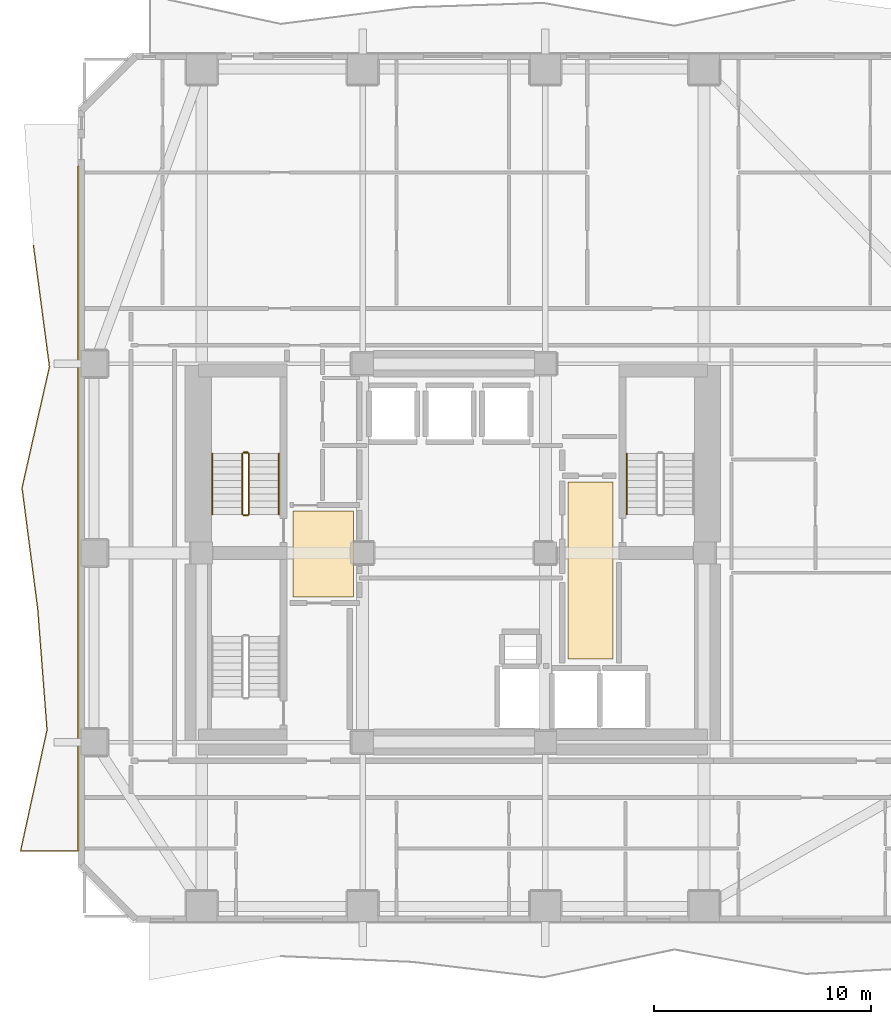
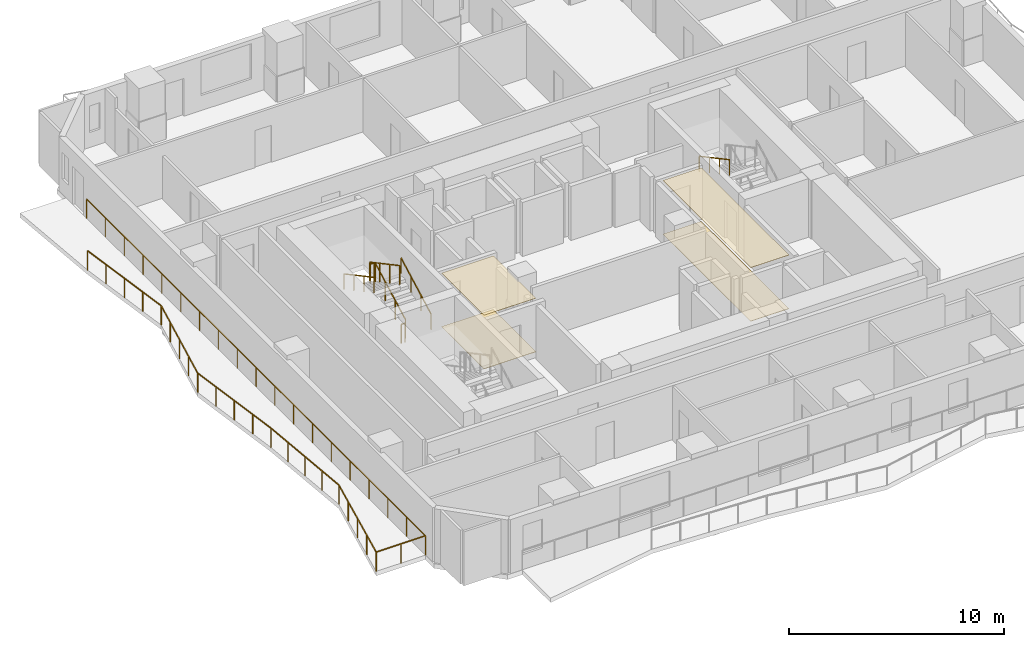
# One storey, part 9 of 11: 8 railings, 4 coverings.
"""IFC4 building model written with IfcOpenShell, lengths in metres."""

from ifc_helpers import new_model, si_unit, direction, frame, origin, origin_2d, place, context, subcontext, project, spatial, polyline, rectangle, outline, extrude, material, layer, layer_set, type_object, element, save


model = new_model("IFC4")

# Units and contexts
model_context = context("Model", 3, precision=1e-05, world=origin(), true_north=direction((0.0, 1.0)))
body_context = subcontext(model_context, "Body", "Model", "MODEL_VIEW")
ifc_project = project(units=[si_unit("LENGTHUNIT", "METRE"), si_unit("AREAUNIT", "SQUARE_METRE"), si_unit("VOLUMEUNIT", "CUBIC_METRE"), si_unit("PLANEANGLEUNIT", "RADIAN"), si_unit("MASSUNIT", "GRAM", prefix="KILO")], contexts=[model_context])

# Site, building, storey
site_placement = place(None, origin())
site = spatial("IfcSite", under=ifc_project, at=site_placement, CompositionType="ELEMENT")
building_placement = place(site_placement, origin())
building = spatial("IfcBuilding", under=site, at=building_placement, Name="Solanera Arch Residences", CompositionType="ELEMENT")
storey_placement = place(building_placement, frame((0.0, 0.0, 68.47998046875)))
storey = spatial("IfcBuildingStorey", under=building, at=storey_placement, Name="L19", CompositionType="ELEMENT", Elevation=68.47998046875)

# Railing
ifc_material_1 = material(Name="Steel S355 (ASTM A992 / A572 Grade 50)", Category="steel")
railing_type_1 = type_object("IfcRailingType", Name="Balustrade Railing BL-1100", PredefinedType="BALUSTRADE", material=ifc_material_1)
railing_1_placement = place(storey_placement, frame((5.657958984375, 44.8330078125, 0.0)))
element("IfcRailing", 1, at=railing_1_placement, inside=storey, type_object=railing_type_1, Name="L19 W Balcony Balustrade 1", PredefinedType="BALUSTRADE", context=body_context, shape_type="SweptSolid", body=[
    extrude(rectangle(XDim=0.048095703125, YDim=0.048095703125, at=origin_2d()), frame((0.0, 0.0, 1.09619140625), z_axis=(0.130935949991, -0.991390829592, 0.0), x_axis=(0.991390829592, 0.130935949991, 0.0)), (0.0, 0.0, 1.0), 5.6142578125),
    extrude(rectangle(XDim=0.048095703125, YDim=0.048095703125, at=origin_2d()), frame((0.735107421875, -5.56591796875, 1.09619140625), z_axis=(-0.220909324265, -0.975294350672, 0.0), x_axis=(0.975294350672, -0.220909324265, 0.0)), (0.0, 0.0, 1.0), 5.708251953125),
    extrude(rectangle(XDim=0.048095703125, YDim=0.048095703125, at=origin_2d()), frame((-0.52587890625, -11.133056640625, 1.09619140625), z_axis=(0.128433627288, -0.991718106813, 0.0), x_axis=(0.991718106813, 0.128433627288, 0.0)), (0.0, 0.0, 1.0), 5.61328125),
    extrude(rectangle(XDim=0.048095703125, YDim=0.048095703125, at=origin_2d()), frame((0.195068359375, -16.699951171875, 1.09619140625), z_axis=(0.076663056349, -0.99705705744, 0.0), x_axis=(0.99705705744, 0.076663056349, 0.0)), (0.0, 0.0, 1.0), 5.58251953125),
    extrude(rectangle(XDim=0.048095703125, YDim=0.048095703125, at=origin_2d()), frame((0.623046875, -22.26611328125, 1.09619140625), z_axis=(-0.213249618178, -0.976997748384, 0.0), x_axis=(0.976997748384, -0.213249618178, 0.0)), (0.0, 0.0, 1.0), 5.697998046875),
    extrude(rectangle(XDim=0.048095703125, YDim=0.048095703125, at=origin_2d()), frame((-0.592041015625, -27.8330078125, 1.09619140625), z_axis=(1.0, 0.0, 0.0), x_axis=(0.0, 1.0, 0.0)), (0.0, 0.0, 1.0), 2.654052734375),
    extrude(rectangle(XDim=0.048095703125, YDim=0.048095703125, at=origin_2d()), frame((2.06201171875, -27.8330078125, 1.09619140625), z_axis=(0.0, 1.0, 0.0), x_axis=(-1.0, 0.0, 0.0)), (0.0, 0.0, 1.0), 31.48388671875),
    extrude(rectangle(XDim=0.0419921875, YDim=0.0419921875, at=origin_2d()), origin(), (0.0, 0.0, 1.0), 1.072021484375),
    extrude(rectangle(XDim=0.0419921875, YDim=0.0419921875, at=origin_2d()), frame((0.183837890625, -1.3916015625, 0.0)), (0.0, 0.0, 1.0), 1.072021484375),
    extrude(rectangle(XDim=0.0419921875, YDim=0.0419921875, at=origin_2d()), frame((0.36767578125, -2.782958984375, 0.0)), (0.0, 0.0, 1.0), 1.072021484375),
    extrude(rectangle(XDim=0.0419921875, YDim=0.0419921875, at=origin_2d()), frame((0.55126953125, -4.17431640625, 0.0)), (0.0, 0.0, 1.0), 1.072021484375),
    extrude(rectangle(XDim=0.0419921875, YDim=0.0419921875, at=origin_2d()), frame((0.735107421875, -5.56591796875, 0.0)), (0.0, 0.0, 1.0), 1.072021484375),
    extrude(rectangle(XDim=0.0419921875, YDim=0.0419921875, at=origin_2d()), frame((0.419921875, -6.957763671875, 0.0)), (0.0, 0.0, 1.0), 1.072021484375),
    extrude(rectangle(XDim=0.0419921875, YDim=0.0419921875, at=origin_2d()), frame((0.1044921875, -8.349609375, 0.0)), (0.0, 0.0, 1.0), 1.072021484375),
    extrude(rectangle(XDim=0.0419921875, YDim=0.0419921875, at=origin_2d()), frame((-0.210693359375, -9.7412109375, 0.0)), (0.0, 0.0, 1.0), 1.072021484375),
    extrude(rectangle(XDim=0.0419921875, YDim=0.0419921875, at=origin_2d()), frame((-0.52587890625, -11.133056640625, 0.0)), (0.0, 0.0, 1.0), 1.072021484375),
    extrude(rectangle(XDim=0.0419921875, YDim=0.0419921875, at=origin_2d()), frame((-0.345703125, -12.52490234375, 0.0)), (0.0, 0.0, 1.0), 1.072021484375),
    extrude(rectangle(XDim=0.0419921875, YDim=0.0419921875, at=origin_2d()), frame((-0.16552734375, -13.91650390625, 0.0)), (0.0, 0.0, 1.0), 1.072021484375),
    extrude(rectangle(XDim=0.0419921875, YDim=0.0419921875, at=origin_2d()), frame((0.014892578125, -15.30810546875, 0.0)), (0.0, 0.0, 1.0), 1.072021484375),
    extrude(rectangle(XDim=0.0419921875, YDim=0.0419921875, at=origin_2d()), frame((0.195068359375, -16.699951171875, 0.0)), (0.0, 0.0, 1.0), 1.072021484375),
    extrude(rectangle(XDim=0.0419921875, YDim=0.0419921875, at=origin_2d()), frame((0.302001953125, -18.091552734375, 0.0)), (0.0, 0.0, 1.0), 1.072021484375),
    extrude(rectangle(XDim=0.0419921875, YDim=0.0419921875, at=origin_2d()), frame((0.4091796875, -19.48291015625, 0.0)), (0.0, 0.0, 1.0), 1.072021484375),
    extrude(rectangle(XDim=0.0419921875, YDim=0.0419921875, at=origin_2d()), frame((0.51611328125, -20.87451171875, 0.0)), (0.0, 0.0, 1.0), 1.072021484375),
    extrude(rectangle(XDim=0.0419921875, YDim=0.0419921875, at=origin_2d()), frame((0.623046875, -22.26611328125, 0.0)), (0.0, 0.0, 1.0), 1.072021484375),
    extrude(rectangle(XDim=0.0419921875, YDim=0.0419921875, at=origin_2d()), frame((0.3193359375, -23.65771484375, 0.0)), (0.0, 0.0, 1.0), 1.072021484375),
    extrude(rectangle(XDim=0.0419921875, YDim=0.0419921875, at=origin_2d()), frame((0.015625, -25.049560546875, 0.0)), (0.0, 0.0, 1.0), 1.072021484375),
    extrude(rectangle(XDim=0.0419921875, YDim=0.0419921875, at=origin_2d()), frame((-0.288330078125, -26.44140625, 0.0)), (0.0, 0.0, 1.0), 1.072021484375),
    extrude(rectangle(XDim=0.0419921875, YDim=0.0419921875, at=origin_2d()), frame((-0.592041015625, -27.8330078125, 0.0)), (0.0, 0.0, 1.0), 1.072021484375),
    extrude(rectangle(XDim=0.0419921875, YDim=0.0419921875, at=origin_2d()), frame((0.73486328125, -27.8330078125, 0.0)), (0.0, 0.0, 1.0), 1.072021484375),
    extrude(rectangle(XDim=0.0419921875, YDim=0.0419921875, at=origin_2d()), frame((2.06201171875, -27.8330078125, 0.0)), (0.0, 0.0, 1.0), 1.072021484375),
    extrude(rectangle(XDim=0.0419921875, YDim=0.0419921875, at=origin_2d()), frame((2.06201171875, -26.083984375, 0.0)), (0.0, 0.0, 1.0), 1.072021484375),
    extrude(rectangle(XDim=0.0419921875, YDim=0.0419921875, at=origin_2d()), frame((2.06201171875, -24.334716796875, 0.0)), (0.0, 0.0, 1.0), 1.072021484375),
    extrude(rectangle(XDim=0.0419921875, YDim=0.0419921875, at=origin_2d()), frame((2.06201171875, -22.585693359375, 0.0)), (0.0, 0.0, 1.0), 1.072021484375),
    extrude(rectangle(XDim=0.0419921875, YDim=0.0419921875, at=origin_2d()), frame((2.06201171875, -20.836669921875, 0.0)), (0.0, 0.0, 1.0), 1.072021484375),
    extrude(rectangle(XDim=0.0419921875, YDim=0.0419921875, at=origin_2d()), frame((2.06201171875, -19.08740234375, 0.0)), (0.0, 0.0, 1.0), 1.072021484375),
    extrude(rectangle(XDim=0.0419921875, YDim=0.0419921875, at=origin_2d()), frame((2.06201171875, -17.33837890625, 0.0)), (0.0, 0.0, 1.0), 1.072021484375),
    extrude(rectangle(XDim=0.0419921875, YDim=0.0419921875, at=origin_2d()), frame((2.06201171875, -15.58935546875, 0.0)), (0.0, 0.0, 1.0), 1.072021484375),
    extrude(rectangle(XDim=0.0419921875, YDim=0.0419921875, at=origin_2d()), frame((2.06201171875, -13.840087890625, 0.0)), (0.0, 0.0, 1.0), 1.072021484375),
    extrude(rectangle(XDim=0.0419921875, YDim=0.0419921875, at=origin_2d()), frame((2.06201171875, -12.091064453125, 0.0)), (0.0, 0.0, 1.0), 1.072021484375),
    extrude(rectangle(XDim=0.0419921875, YDim=0.0419921875, at=origin_2d()), frame((2.06201171875, -10.342041015625, 0.0)), (0.0, 0.0, 1.0), 1.072021484375),
    extrude(rectangle(XDim=0.0419921875, YDim=0.0419921875, at=origin_2d()), frame((2.06201171875, -8.5927734375, 0.0)), (0.0, 0.0, 1.0), 1.072021484375),
    extrude(rectangle(XDim=0.0419921875, YDim=0.0419921875, at=origin_2d()), frame((2.06201171875, -6.84375, 0.0)), (0.0, 0.0, 1.0), 1.072021484375),
    extrude(rectangle(XDim=0.0419921875, YDim=0.0419921875, at=origin_2d()), frame((2.06201171875, -5.0947265625, 0.0)), (0.0, 0.0, 1.0), 1.072021484375),
    extrude(rectangle(XDim=0.0419921875, YDim=0.0419921875, at=origin_2d()), frame((2.06201171875, -3.345458984375, 0.0)), (0.0, 0.0, 1.0), 1.072021484375),
    extrude(rectangle(XDim=0.0419921875, YDim=0.0419921875, at=origin_2d()), frame((2.06201171875, -1.596435546875, 0.0)), (0.0, 0.0, 1.0), 1.072021484375),
    extrude(rectangle(XDim=0.0419921875, YDim=0.0419921875, at=origin_2d()), frame((2.06201171875, 0.152587890625, 0.0)), (0.0, 0.0, 1.0), 1.072021484375),
    extrude(rectangle(XDim=0.0419921875, YDim=0.0419921875, at=origin_2d()), frame((2.06201171875, 1.90185546875, 0.0)), (0.0, 0.0, 1.0), 1.072021484375),
    extrude(rectangle(XDim=0.0419921875, YDim=0.0419921875, at=origin_2d()), frame((2.06201171875, 3.65087890625, 0.0)), (0.0, 0.0, 1.0), 1.072021484375),
])

# Coverings
ifc_material_2 = material(Name="Porcelain Acoustic Floor Tile", Category="ceramic")
ifc_layer_1 = layer(ifc_material_2, 0.02001953125)
ifc_layer_set_1 = layer_set([ifc_layer_1], Name="Porcelain Acoustic Floor Tile")
covering_type_1 = type_object("IfcCoveringType", Name="Porcelain Acoustic Floor Finish FLR-20", PredefinedType="FLOORING", material=ifc_layer_set_1)
covering_1_placement = place(storey_placement, origin())
element("IfcCovering", 2, at=covering_1_placement, inside=storey, type_object=covering_type_1, Name="L19-FFL-W Porcelain Floor Finish", PredefinedType="FLOORING", context=body_context, shape_type="SweptSolid", body=[
    extrude(outline(polyline([(20.375, 28.675048828125), (17.594970703125, 28.675048828125), (17.594970703125, 32.625), (20.375, 32.625), (20.375, 28.675048828125)])), origin(), (0.0, 0.0, 1.0), 0.02001953125),
])
covering_2_placement = place(storey_placement, origin())
element("IfcCovering", 3, at=covering_2_placement, inside=storey, type_object=covering_type_1, Name="L19-FFL-E Porcelain Floor Finish", PredefinedType="FLOORING", context=body_context, shape_type="SweptSolid", body=[
    extrude(outline(polyline([(32.304931640625, 25.824951171875), (30.25, 25.824951171875), (30.25, 33.97509765625), (32.304931640625, 33.97509765625), (32.304931640625, 25.824951171875)])), origin(), (0.0, 0.0, 1.0), 0.02001953125),
])

# Railings
ifc_material_3 = material(Name="Steel S355 (ASTM A992 / A572 Grade 50)", Category="steel")
railing_type_2 = type_object("IfcRailingType", Name="Stair Guardrail GR-1100", PredefinedType="GUARDRAIL", material=ifc_material_3)
railing_2_placement = place(storey_placement, frame((15.570068359375, 32.47998046875, 0.151123046875)))
element("IfcRailing", 4, at=railing_2_placement, inside=storey, type_object=railing_type_2, Name="L19 ST-T1 stair guard 1", PredefinedType="GUARDRAIL", context=body_context, shape_type="SweptSolid", body=[
    extrude(rectangle(XDim=0.048095703125, YDim=0.048095703125, at=origin_2d()), frame((0.0, 0.0, 1.076171875), z_axis=(0.0, 0.881580869306, 0.472033018838), x_axis=(-1.0, 0.0, 0.0)), (0.0, 0.0, 1.0), 3.164794921875),
    extrude(rectangle(XDim=0.0419921875, YDim=0.0419921875, at=origin_2d()), origin(), (0.0, 0.0, 1.0), 1.052001953125),
    extrude(rectangle(XDim=0.0419921875, YDim=0.0419921875, at=origin_2d()), frame((0.0, 0.929931640625, 0.498046875)), (0.0, 0.0, 1.0), 1.052001953125),
    extrude(rectangle(XDim=0.0419921875, YDim=0.0419921875, at=origin_2d()), frame((0.0, 1.860107421875, 0.995849609375)), (0.0, 0.0, 1.0), 1.052001953125),
    extrude(rectangle(XDim=0.0419921875, YDim=0.0419921875, at=origin_2d()), frame((0.0, 2.7900390625, 1.493896484375)), (0.0, 0.0, 1.0), 1.052001953125),
])
railing_3_placement = place(storey_placement, frame((15.52001953125, 35.320068359375, 1.64501953125)))
element("IfcRailing", 5, at=railing_3_placement, inside=storey, type_object=railing_type_2, Name="L19 ST-T1 stair guard 2", PredefinedType="GUARDRAIL", context=body_context, shape_type="SweptSolid", body=[
    extrude(rectangle(XDim=0.048095703125, YDim=0.048095703125, at=origin_2d()), frame((0.0, 0.0, 1.076171875), z_axis=(-1.0, 0.0, 0.0), x_axis=(0.0, -1.0, 0.0)), (0.0, 0.0, 1.0), 0.199951171875),
    extrude(rectangle(XDim=0.0419921875, YDim=0.0419921875, at=origin_2d()), origin(), (0.0, 0.0, 1.0), 1.052001953125),
    extrude(rectangle(XDim=0.0419921875, YDim=0.0419921875, at=origin_2d()), frame((-0.199951171875, 0.0, 0.0)), (0.0, 0.0, 1.0), 1.052001953125),
])
railing_4_placement = place(storey_placement, frame((15.27001953125, 35.27001953125, 1.81103515625)))
element("IfcRailing", 6, at=railing_4_placement, inside=storey, type_object=railing_type_2, Name="L19 ST-T1 stair guard 3", PredefinedType="GUARDRAIL", context=body_context, shape_type="SweptSolid", body=[
    extrude(rectangle(XDim=0.048095703125, YDim=0.048095703125, at=origin_2d()), frame((0.0, 0.0, 1.076171875), z_axis=(0.0, -0.881580869306, 0.472033018838), x_axis=(1.0, 0.0, 0.0)), (0.0, 0.0, 1.0), 3.164794921875),
    extrude(rectangle(XDim=0.0419921875, YDim=0.0419921875, at=origin_2d()), origin(), (0.0, 0.0, 1.0), 1.052001953125),
    extrude(rectangle(XDim=0.0419921875, YDim=0.0419921875, at=origin_2d()), frame((0.0, -0.929931640625, 0.498046875)), (0.0, 0.0, 1.0), 1.052001953125),
    extrude(rectangle(XDim=0.0419921875, YDim=0.0419921875, at=origin_2d()), frame((0.0, -1.860107421875, 0.995849609375)), (0.0, 0.0, 1.0), 1.052001953125),
    extrude(rectangle(XDim=0.0419921875, YDim=0.0419921875, at=origin_2d()), frame((0.0, -2.7900390625, 1.493896484375)), (0.0, 0.0, 1.0), 1.052001953125),
])
railing_5_placement = place(storey_placement, frame((15.52001953125, 32.429931640625, -0.014892578125)))
element("IfcRailing", 7, at=railing_5_placement, inside=storey, type_object=railing_type_2, Name="L19 ST-T1 stair guard 4", PredefinedType="GUARDRAIL", context=body_context, shape_type="SweptSolid", body=[
    extrude(rectangle(XDim=0.048095703125, YDim=0.048095703125, at=origin_2d()), frame((0.0, 0.0, 1.076171875), z_axis=(-1.0, 0.0, 0.0), x_axis=(0.0, -1.0, 0.0)), (0.0, 0.0, 1.0), 0.199951171875),
    extrude(rectangle(XDim=0.0419921875, YDim=0.0419921875, at=origin_2d()), origin(), (0.0, 0.0, 1.0), 1.052001953125),
    extrude(rectangle(XDim=0.0419921875, YDim=0.0419921875, at=origin_2d()), frame((-0.199951171875, 0.0, 0.0)), (0.0, 0.0, 1.0), 1.052001953125),
])
ifc_material_4 = material(Name="Steel S355 (ASTM A992 / A572 Grade 50)", Category="steel")
railing_type_3 = type_object("IfcRailingType", Name="Stair Wall Handrail HR-920", PredefinedType="HANDRAIL", material=ifc_material_4)
railing_6_placement = place(storey_placement, frame((16.949951171875, 32.47998046875, 0.166015625)))
element("IfcRailing", 8, at=railing_6_placement, inside=storey, type_object=railing_type_3, Name="L19 ST-T1 stair handrail 1", PredefinedType="HANDRAIL", context=body_context, shape_type="SweptSolid", body=[
    extrude(rectangle(XDim=0.048095703125, YDim=0.048095703125, at=origin_2d()), frame((0.0, 0.0, 0.8759765625), z_axis=(0.0, 0.881580869306, 0.472033018838), x_axis=(-1.0, 0.0, 0.0)), (0.0, 0.0, 1.0), 3.164794921875),
    extrude(rectangle(XDim=0.0419921875, YDim=0.0419921875, at=origin_2d()), origin(), (0.0, 0.0, 1.0), 0.851806640625),
    extrude(rectangle(XDim=0.0419921875, YDim=0.0419921875, at=origin_2d()), frame((0.0, 0.929931640625, 0.498046875)), (0.0, 0.0, 1.0), 0.851806640625),
    extrude(rectangle(XDim=0.0419921875, YDim=0.0419921875, at=origin_2d()), frame((0.0, 1.860107421875, 0.995849609375)), (0.0, 0.0, 1.0), 0.851806640625),
    extrude(rectangle(XDim=0.0419921875, YDim=0.0419921875, at=origin_2d()), frame((0.0, 2.7900390625, 1.493896484375)), (0.0, 0.0, 1.0), 0.851806640625),
])
for number, where, name in (
    (9, (13.889892578125, 35.27001953125, 1.825927734375), "L19 ST-T1 stair handrail 2"),
    (10, (32.949951171875, 35.27001953125, 1.825927734375), "L19 ST-T2 stair handrail 2"),
):
    element("IfcRailing", number, at=place(storey_placement, frame(where)), inside=storey, type_object=railing_type_3, Name=name, PredefinedType="HANDRAIL", context=body_context, shape_type="SweptSolid", body=[
        extrude(rectangle(XDim=0.048095703125, YDim=0.048095703125, at=origin_2d()), frame((0.0, 0.0, 0.8759765625), z_axis=(0.0, -0.881548766853, 0.472092969298), x_axis=(1.0, 0.0, 0.0)), (0.0, 0.0, 1.0), 3.1650390625),
        extrude(rectangle(XDim=0.0419921875, YDim=0.0419921875, at=origin_2d()), origin(), (0.0, 0.0, 1.0), 0.851806640625),
        extrude(rectangle(XDim=0.0419921875, YDim=0.0419921875, at=origin_2d()), frame((0.0, -0.929931640625, 0.498046875)), (0.0, 0.0, 1.0), 0.851806640625),
        extrude(rectangle(XDim=0.0419921875, YDim=0.0419921875, at=origin_2d()), frame((0.0, -1.860107421875, 0.99609375)), (0.0, 0.0, 1.0), 0.851806640625),
        extrude(rectangle(XDim=0.0419921875, YDim=0.0419921875, at=origin_2d()), frame((0.0, -2.7900390625, 1.494140625)), (0.0, 0.0, 1.0), 0.851806640625),
    ])

# Coverings
ifc_material_5 = material(Name="Mineral Fibre Acoustic Ceiling Board", Category="gypsum")
ifc_layer_2 = layer(ifc_material_5, 0.02490234375)
ifc_layer_set_2 = layer_set([ifc_layer_2], Name="Mineral Fibre Acoustic Ceiling Board")
covering_type_2 = type_object("IfcCoveringType", Name="Suspended Acoustic Ceiling Board CLG-25", PredefinedType="CEILING", material=ifc_layer_set_2)
covering_3_placement = place(storey_placement, frame((0.0, 0.0, 3.034912109375)))
element("IfcCovering", 11, at=covering_3_placement, inside=storey, type_object=covering_type_2, Name="L19-FFL-W Acoustic Ceiling", PredefinedType="CEILING", context=body_context, shape_type="SweptSolid", body=[
    extrude(outline(polyline([(20.375, 28.675048828125), (17.594970703125, 28.675048828125), (17.594970703125, 32.625), (20.375, 32.625), (20.375, 28.675048828125)])), origin(), (0.0, 0.0, 1.0), 0.025146484375),
])
covering_4_placement = place(storey_placement, frame((0.0, 0.0, 3.034912109375)))
element("IfcCovering", 12, at=covering_4_placement, inside=storey, type_object=covering_type_2, Name="L19-FFL-E Acoustic Ceiling", PredefinedType="CEILING", context=body_context, shape_type="SweptSolid", body=[
    extrude(outline(polyline([(32.304931640625, 25.824951171875), (30.25, 25.824951171875), (30.25, 33.97509765625), (32.304931640625, 33.97509765625), (32.304931640625, 25.824951171875)])), origin(), (0.0, 0.0, 1.0), 0.025146484375),
])

save(model, "model.ifc")
